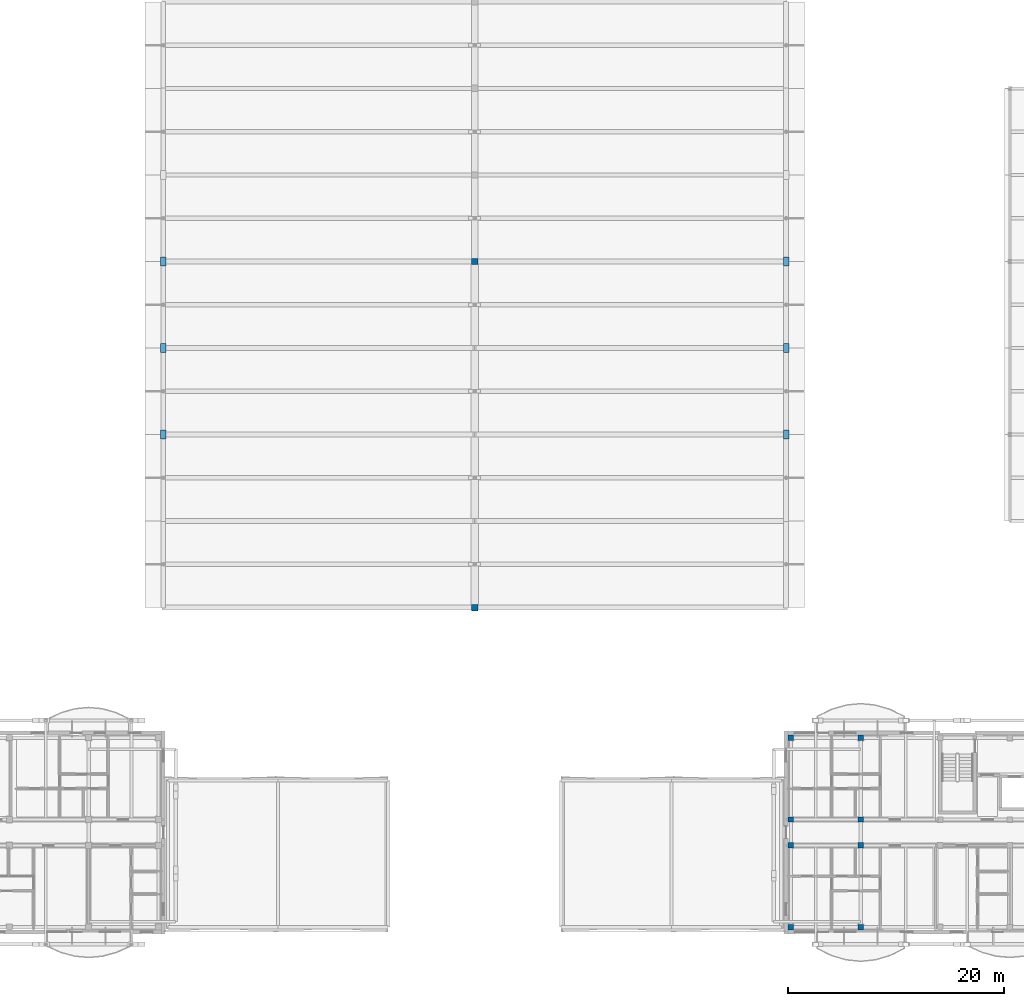
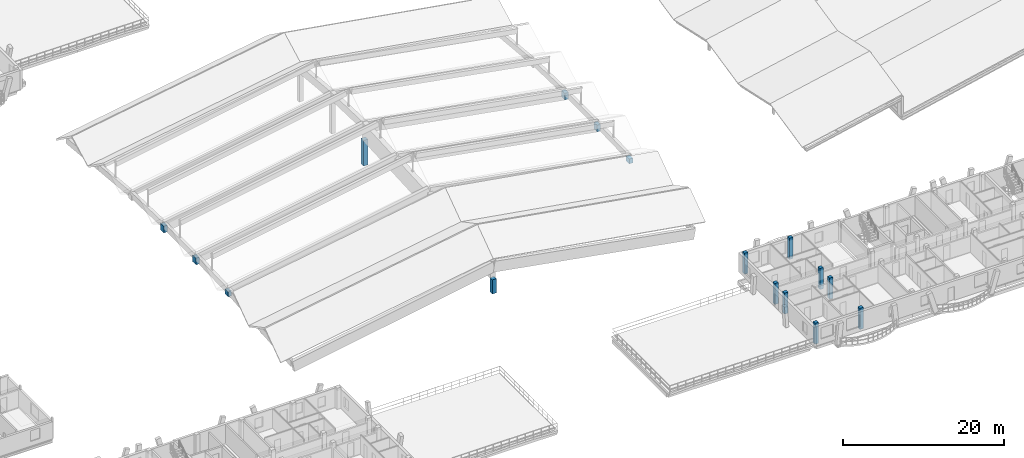
# One storey, part 5 of 109: 16 columns.
"""IFC4 building model written with IfcOpenShell, lengths in metres."""

from ifc_helpers import new_model, si_unit, direction, frame, origin, origin_2d, place, context, subcontext, project, spatial, rectangle, extrude, material, material_profile, profile_set, type_object, element, save


model = new_model("IFC4")

# Units and contexts
model_context = context("Model", 3, precision=1e-05, world=origin(), true_north=direction((0.0, 1.0)))
body_context = subcontext(model_context, "Body", "Model", "MODEL_VIEW")
ifc_project = project(units=[si_unit("LENGTHUNIT", "METRE"), si_unit("AREAUNIT", "SQUARE_METRE"), si_unit("VOLUMEUNIT", "CUBIC_METRE"), si_unit("PLANEANGLEUNIT", "RADIAN"), si_unit("MASSUNIT", "GRAM", prefix="KILO")], contexts=[model_context])

# Site, building, storey
site_placement = place(None, origin())
site = spatial("IfcSite", under=ifc_project, at=site_placement, CompositionType="ELEMENT")
building_placement = place(site_placement, origin())
building = spatial("IfcBuilding", under=site, at=building_placement, Name="Zavelmont Quarter", CompositionType="ELEMENT")
storey_placement = place(building_placement, frame((0.0, 0.0, 8.0)))
storey = spatial("IfcBuildingStorey", under=building, at=storey_placement, Name="L02", CompositionType="ELEMENT", Elevation=8.0)

# Columns
ifc_material = material(Name="Concrete C40/50", Category="concrete")
ifc_material_profile_1 = material_profile(ifc_material, rectangle(XDim=0.60009765625, YDim=0.60009765625, at=origin_2d()), Name="RC600X600")
ifc_profile_set_1 = profile_set([ifc_material_profile_1], Name="Concrete C40/50")
column_type_1 = type_object("IfcColumnType", Name="CL01", PredefinedType="COLUMN", material=ifc_profile_set_1)
column_1_placement = place(storey_placement, frame((84.0, 30.0, 0.0), z_axis=(0.0, 0.0, 1.0), x_axis=(1.0, 0.0, 0.0)))
element("IfcColumn", 1, at=column_1_placement, inside=storey, type_object=column_type_1, Name="L02 column CL01 at 13/F", PredefinedType="COLUMN", context=body_context, shape_type="SweptSolid", body=[
    extrude(rectangle(XDim=0.60009765625, YDim=0.60009765625, at=origin_2d()), origin(), (0.0, 0.0, 1.0), 2.155029296875),
])
column_2_placement = place(storey_placement, frame((84.0, 62.0, 0.0), z_axis=(0.0, 0.0, 1.0), x_axis=(1.0, 0.0, 0.0)))
element("IfcColumn", 2, at=column_2_placement, inside=storey, type_object=column_type_1, Name="L02 column CL01 at 13/K", PredefinedType="COLUMN", context=body_context, shape_type="SweptSolid", body=[
    extrude(rectangle(XDim=0.60009765625, YDim=0.60009765625, at=origin_2d()), origin(), (0.0, 0.0, 1.0), 3.905029296875),
])
ifc_material_profile_2 = material_profile(ifc_material, rectangle(XDim=0.5, YDim=0.5, at=origin_2d()), Name="RC500X500")
ifc_profile_set_2 = profile_set([ifc_material_profile_2], Name="Concrete C40/50")
column_type_2 = type_object("IfcColumnType", Name="CL03", PredefinedType="COLUMN", material=ifc_profile_set_2)
for number, where, z_axis, x_axis, name in (
    (3, (113.239990234375, 0.43994140625, 0.0), (0.0, 0.0, 1.0), (1.0, 0.0, 0.0), "L02 column CL03 at 17/A"),
    (4, (113.239990234375, 8.0, 0.0), (0.0, 0.0, 1.0), (1.0, 0.0, 0.0), "L02 column CL03 at 17/B"),
    (5, (113.239990234375, 10.39990234375, 0.0), (0.0, 0.0, 1.0), (1.0, 0.0, 0.0), "L02 column CL03 at 17/C"),
    (6, (113.239990234375, 17.9599609375, 0.0), (0.0, 0.0, 1.0), (1.0, 0.0, 0.0), "L02 column CL03 at 17/D"),
    (7, (119.699951171875, 0.43994140625, 0.0), (0.0, 0.0, 1.0), (1.0, 0.0, 0.0), "L02 column CL03 at 18/A"),
    (8, (119.699951171875, 8.0, 0.0), (0.0, 0.0, 1.0), (1.0, 0.0, 0.0), "L02 column CL03 at 18/B"),
    (9, (119.699951171875, 10.39990234375, 0.0), (0.0, 0.0, 1.0), (1.0, 0.0, 0.0), "L02 column CL03 at 18/C"),
    (10, (119.699951171875, 17.9599609375, 0.0), (0.0, 0.0, 1.0), (1.0, 0.0, 0.0), "L02 column CL03 at 18/D"),
):
    element("IfcColumn", number, at=place(storey_placement, frame(where, z_axis=z_axis, x_axis=x_axis)), inside=storey, type_object=column_type_2, Name=name, PredefinedType="COLUMN", context=body_context, shape_type="SweptSolid", body=[
        extrude(rectangle(XDim=0.5, YDim=0.5, at=origin_2d()), origin(), (0.0, 0.0, 1.0), 3.199951171875),
    ])
ifc_material_profile_3 = material_profile(ifc_material, rectangle(XDim=0.5, YDim=0.800048828125, at=origin_2d()), Name="RC500X800")
ifc_profile_set_3 = profile_set([ifc_material_profile_3], Name="Concrete C40/50")
column_type_3 = type_object("IfcColumnType", Name="CL07", PredefinedType="COLUMN", material=ifc_profile_set_3)
column_3_placement = place(storey_placement, frame((55.199951171875, 46.0, 0.0), z_axis=(0.0, 0.0, 1.0), x_axis=(1.0, 0.0, 0.0)))
element("IfcColumn", 11, at=column_3_placement, inside=storey, type_object=column_type_3, Name="L02 column CL07 at 9/H", PredefinedType="COLUMN", context=body_context, shape_type="SweptSolid", body=[
    extrude(rectangle(XDim=0.5, YDim=0.800048828125, at=origin_2d()), origin(), (0.0, 0.0, 1.0), 0.7548828125),
])
for number, where, z_axis, x_axis, name in (
    (12, (55.199951171875, 54.0, 0.0), (0.0, 0.0, 1.0), (1.0, 0.0, 0.0), "L02 column CL07 at 9/J"),
    (13, (55.199951171875, 62.0, 0.0), (0.0, 0.0, 1.0), (1.0, 0.0, 0.0), "L02 column CL07 at 9/K"),
):
    element("IfcColumn", number, at=place(storey_placement, frame(where, z_axis=z_axis, x_axis=x_axis)), inside=storey, type_object=column_type_3, Name=name, PredefinedType="COLUMN", context=body_context, shape_type="SweptSolid", body=[
        extrude(rectangle(XDim=0.5, YDim=0.800048828125, at=origin_2d()), origin(), (0.0, 0.0, 1.0), 1.0048828125),
    ])
column_4_placement = place(storey_placement, frame((112.800048828125, 46.0, 0.0), z_axis=(0.0, 0.0, 1.0), x_axis=(1.0, 0.0, 0.0)))
element("IfcColumn", 14, at=column_4_placement, inside=storey, type_object=column_type_3, Name="L02 column CL07 at 17/H", PredefinedType="COLUMN", context=body_context, shape_type="SweptSolid", body=[
    extrude(rectangle(XDim=0.5, YDim=0.800048828125, at=origin_2d()), origin(), (0.0, 0.0, 1.0), 0.7548828125),
])
for number, where, z_axis, x_axis, name in (
    (15, (112.800048828125, 54.0, 0.0), (0.0, 0.0, 1.0), (1.0, 0.0, 0.0), "L02 column CL07 at 17/J"),
    (16, (112.800048828125, 62.0, 0.0), (0.0, 0.0, 1.0), (1.0, 0.0, 0.0), "L02 column CL07 at 17/K"),
):
    element("IfcColumn", number, at=place(storey_placement, frame(where, z_axis=z_axis, x_axis=x_axis)), inside=storey, type_object=column_type_3, Name=name, PredefinedType="COLUMN", context=body_context, shape_type="SweptSolid", body=[
        extrude(rectangle(XDim=0.5, YDim=0.800048828125, at=origin_2d()), origin(), (0.0, 0.0, 1.0), 1.0048828125),
    ])

save(model, "model.ifc")
